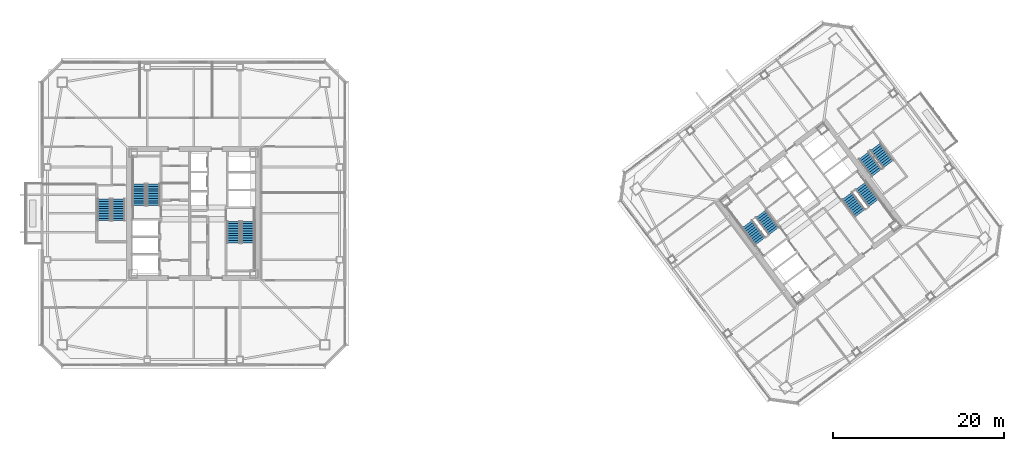
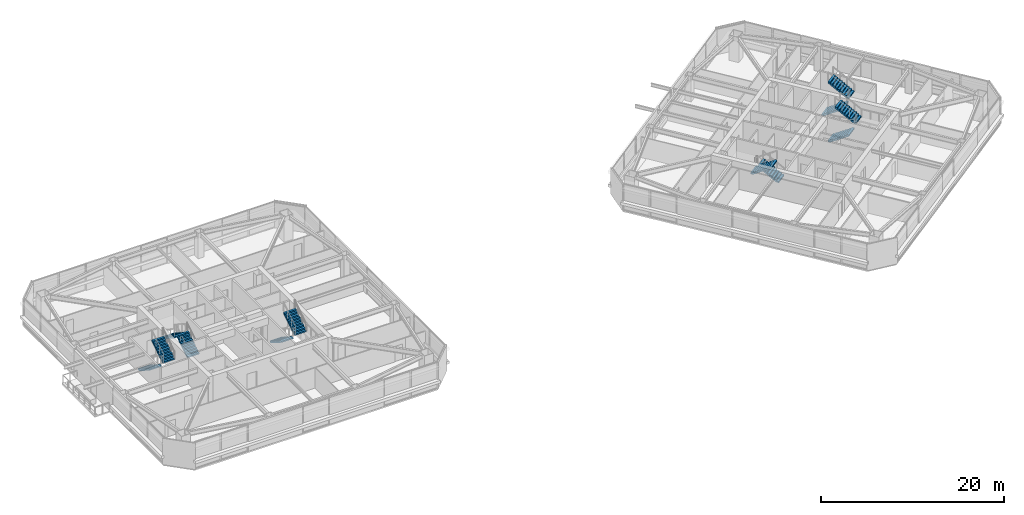
# One storey, part 37 of 43: 12 stair flights, 6 elements without a shape of their own.
"""IFC4 building model written with IfcOpenShell, lengths in metres."""

from ifc_helpers import new_model, si_unit, direction, frame, origin, place, context, subcontext, project, spatial, polyline, outline, extrude, material, type_object, element, aggregate, save


model = new_model("IFC4")

# Units and contexts
model_context = context("Model", 3, precision=1e-05, world=origin(), true_north=direction((0.0, 1.0)))
body_context = subcontext(model_context, "Body", "Model", "MODEL_VIEW")
ifc_project = project(units=[si_unit("LENGTHUNIT", "METRE"), si_unit("AREAUNIT", "SQUARE_METRE"), si_unit("VOLUMEUNIT", "CUBIC_METRE"), si_unit("PLANEANGLEUNIT", "RADIAN"), si_unit("MASSUNIT", "GRAM", prefix="KILO")], contexts=[model_context])

# Site, building, storey
site_placement = place(None, origin())
site = spatial("IfcSite", under=ifc_project, at=site_placement, CompositionType="ELEMENT")
building_placement = place(site_placement, origin())
building = spatial("IfcBuilding", under=site, at=building_placement, Name="Tashvorn Skyway Center", CompositionType="ELEMENT")
storey_placement = place(building_placement, frame((0.0, 0.0, 185.39990234375)))
storey = spatial("IfcBuildingStorey", under=building, at=storey_placement, Name="L50", CompositionType="ELEMENT", Elevation=185.39990234375)

# Stair, stair flights
ifc_material = material(Name="Concrete C40/50", Category="concrete")
stair_type = type_object("IfcStairType", Name="STAIR-CORE-1500", PredefinedType="HALF_TURN_STAIR", material=ifc_material)
stair_1_placement = place(storey_placement, origin())
stair_1 = element("IfcStair", 1, at=stair_1_placement, inside=storey, type_object=stair_type, Name="L50 Tower 1 Exit Stair 1", PredefinedType="HALF_TURN_STAIR")
stair_flight_type = type_object("IfcStairFlightType", Name="SFLIGHT-1500", PredefinedType="STRAIGHT", material=ifc_material)
stair_flight_1_placement = place(storey_placement, frame((37.35009765625, 32.919921875, 0.0), z_axis=(0.0, 0.0, 1.0), x_axis=(0.0, 1.0, 0.0)))
stair_flight_1 = element("IfcStairFlight", 2, at=stair_flight_1_placement, type_object=stair_flight_type, Name="ST-T1-1 flight 1", NumberOfRisers=10, NumberOfTreads=9, PredefinedType="STRAIGHT", RiserHeight=0.1775, TreadLength=0.28, context=body_context, shape_type="SweptSolid", body=[
    extrude(outline(polyline([(0.0, 0.0), (0.0, 0.177490234375), (0.280029296875, 0.177490234375), (0.280029296875, 0.35498046875), (0.56005859375, 0.35498046875), (0.56005859375, 0.532470703125), (0.840087890625, 0.532470703125), (0.840087890625, 0.7099609375), (1.1201171875, 0.7099609375), (1.1201171875, 0.887451171875), (1.39990234375, 0.887451171875), (1.39990234375, 1.06494140625), (1.679931640625, 1.06494140625), (1.679931640625, 1.242431640625), (1.9599609375, 1.242431640625), (1.9599609375, 1.419921875), (2.239990234375, 1.419921875), (2.239990234375, 1.597412109375), (2.52001953125, 1.597412109375), (2.52001953125, 1.77490234375), (2.52001953125, 1.419921875), (0.280029296875, 0.0), (0.0, 0.0)])), frame((0.0, 0.75, 0.0), z_axis=(0.0, -1.0, 0.0), x_axis=(1.0, 0.0, 0.0)), (0.0, 0.0, 1.0), 1.5),
])
stair_flight_2_placement = place(storey_placement, frame((35.64990234375, 35.43994140625, 1.775146484375), z_axis=(0.0, 0.0, 1.0), x_axis=(0.0, -1.0, 0.0)))
stair_flight_2 = element("IfcStairFlight", 3, at=stair_flight_2_placement, type_object=stair_flight_type, Name="ST-T1-1 flight 2", NumberOfRisers=10, NumberOfTreads=9, PredefinedType="STRAIGHT", RiserHeight=0.1775, TreadLength=0.28, context=body_context, shape_type="SweptSolid", body=[
    extrude(outline(polyline([(0.0, 0.0), (0.0, 0.177490234375), (0.280029296875, 0.177490234375), (0.280029296875, 0.35498046875), (0.56005859375, 0.35498046875), (0.56005859375, 0.532470703125), (0.840087890625, 0.532470703125), (0.840087890625, 0.7099609375), (1.1201171875, 0.7099609375), (1.1201171875, 0.887451171875), (1.39990234375, 0.887451171875), (1.39990234375, 1.06494140625), (1.679931640625, 1.06494140625), (1.679931640625, 1.242431640625), (1.9599609375, 1.242431640625), (1.9599609375, 1.419921875), (2.239990234375, 1.419921875), (2.239990234375, 1.597412109375), (2.52001953125, 1.597412109375), (2.52001953125, 1.77490234375), (2.52001953125, 1.419921875), (0.280029296875, 0.0), (0.0, 0.0)])), frame((0.0, 0.75, 0.0), z_axis=(0.0, -1.0, 0.0), x_axis=(1.0, 0.0, 0.0)), (0.0, 0.0, 1.0), 1.5),
])
aggregate(stair_1, [stair_flight_1, stair_flight_2])

stair_2_placement = place(storey_placement, origin())
stair_2 = element("IfcStair", 4, at=stair_2_placement, inside=storey, type_object=stair_type, Name="L50 Tower 1 Exit Stair 2", PredefinedType="HALF_TURN_STAIR")
stair_flight_3_placement = place(storey_placement, frame((46.64990234375, 31.080078125, 0.0), z_axis=(0.0, 0.0, 1.0), x_axis=(0.0, -1.0, 0.0)))
stair_flight_3 = element("IfcStairFlight", 5, at=stair_flight_3_placement, type_object=stair_flight_type, Name="ST-T1-2 flight 1", NumberOfRisers=10, NumberOfTreads=9, PredefinedType="STRAIGHT", RiserHeight=0.1775, TreadLength=0.28, context=body_context, shape_type="SweptSolid", body=[
    extrude(outline(polyline([(0.0, 0.0), (0.0, 0.177490234375), (0.280029296875, 0.177490234375), (0.280029296875, 0.35498046875), (0.56005859375, 0.35498046875), (0.56005859375, 0.532470703125), (0.840087890625, 0.532470703125), (0.840087890625, 0.7099609375), (1.1201171875, 0.7099609375), (1.1201171875, 0.887451171875), (1.39990234375, 0.887451171875), (1.39990234375, 1.06494140625), (1.679931640625, 1.06494140625), (1.679931640625, 1.242431640625), (1.9599609375, 1.242431640625), (1.9599609375, 1.419921875), (2.239990234375, 1.419921875), (2.239990234375, 1.597412109375), (2.52001953125, 1.597412109375), (2.52001953125, 1.77490234375), (2.52001953125, 1.419921875), (0.280029296875, 0.0), (0.0, 0.0)])), frame((0.0, 0.75, 0.0), z_axis=(0.0, -1.0, 0.0), x_axis=(1.0, 0.0, 0.0)), (0.0, 0.0, 1.0), 1.5),
])
stair_flight_4_placement = place(storey_placement, frame((48.35009765625, 28.56005859375, 1.775146484375), z_axis=(0.0, 0.0, 1.0), x_axis=(0.0, 1.0, 0.0)))
stair_flight_4 = element("IfcStairFlight", 6, at=stair_flight_4_placement, type_object=stair_flight_type, Name="ST-T1-2 flight 2", NumberOfRisers=10, NumberOfTreads=9, PredefinedType="STRAIGHT", RiserHeight=0.1775, TreadLength=0.28, context=body_context, shape_type="SweptSolid", body=[
    extrude(outline(polyline([(0.0, 0.0), (0.0, 0.177490234375), (0.280029296875, 0.177490234375), (0.280029296875, 0.35498046875), (0.56005859375, 0.35498046875), (0.56005859375, 0.532470703125), (0.840087890625, 0.532470703125), (0.840087890625, 0.7099609375), (1.1201171875, 0.7099609375), (1.1201171875, 0.887451171875), (1.39990234375, 0.887451171875), (1.39990234375, 1.06494140625), (1.679931640625, 1.06494140625), (1.679931640625, 1.242431640625), (1.9599609375, 1.242431640625), (1.9599609375, 1.419921875), (2.239990234375, 1.419921875), (2.239990234375, 1.597412109375), (2.52001953125, 1.597412109375), (2.52001953125, 1.77490234375), (2.52001953125, 1.419921875), (0.280029296875, 0.0), (0.0, 0.0)])), frame((0.0, 0.75, 0.0), z_axis=(0.0, -1.0, 0.0), x_axis=(1.0, 0.0, 0.0)), (0.0, 0.0, 1.0), 1.5),
])
aggregate(stair_2, [stair_flight_3, stair_flight_4])

stair_3_placement = place(storey_placement, origin())
stair_3 = element("IfcStair", 7, at=stair_3_placement, inside=storey, type_object=stair_type, Name="L50 Tower 2 Exit Stair 1", PredefinedType="HALF_TURN_STAIR")
stair_flight_5_placement = place(storey_placement, frame((109.72802734375, 29.946044921875, 0.0), z_axis=(0.0, 0.0, 1.0), x_axis=(-0.600000004945, 0.799999996291, 0.0)))
stair_flight_5 = element("IfcStairFlight", 8, at=stair_flight_5_placement, type_object=stair_flight_type, Name="ST-T2-1 flight 1", NumberOfRisers=10, NumberOfTreads=9, PredefinedType="STRAIGHT", RiserHeight=0.1775, TreadLength=0.28, context=body_context, shape_type="SweptSolid", body=[
    extrude(outline(polyline([(0.0, 0.0), (0.0, 0.177490234375), (0.280029296875, 0.177490234375), (0.280029296875, 0.35498046875), (0.56005859375, 0.35498046875), (0.56005859375, 0.532470703125), (0.840087890625, 0.532470703125), (0.840087890625, 0.7099609375), (1.1201171875, 0.7099609375), (1.1201171875, 0.887451171875), (1.39990234375, 0.887451171875), (1.39990234375, 1.06494140625), (1.679931640625, 1.06494140625), (1.679931640625, 1.242431640625), (1.9599609375, 1.242431640625), (1.9599609375, 1.419921875), (2.239990234375, 1.419921875), (2.239990234375, 1.597412109375), (2.52001953125, 1.597412109375), (2.52001953125, 1.77490234375), (2.52001953125, 1.419921875), (0.280029296875, 0.0), (0.0, 0.0)])), frame((0.0, 0.75, 0.0), z_axis=(0.0, -1.0, 0.0), x_axis=(1.0, 0.0, 0.0)), (0.0, 0.0, 1.0), 1.5),
])
stair_flight_6_placement = place(storey_placement, frame((106.632080078125, 30.77392578125, 1.775146484375), z_axis=(0.0, 0.0, 1.0), x_axis=(0.600000004945, -0.799999996291, 0.0)))
stair_flight_6 = element("IfcStairFlight", 9, at=stair_flight_6_placement, type_object=stair_flight_type, Name="ST-T2-1 flight 2", NumberOfRisers=10, NumberOfTreads=9, PredefinedType="STRAIGHT", RiserHeight=0.1775, TreadLength=0.28, context=body_context, shape_type="SweptSolid", body=[
    extrude(outline(polyline([(0.0, 0.0), (0.0, 0.177490234375), (0.280029296875, 0.177490234375), (0.280029296875, 0.35498046875), (0.56005859375, 0.35498046875), (0.56005859375, 0.532470703125), (0.840087890625, 0.532470703125), (0.840087890625, 0.7099609375), (1.1201171875, 0.7099609375), (1.1201171875, 0.887451171875), (1.39990234375, 0.887451171875), (1.39990234375, 1.06494140625), (1.679931640625, 1.06494140625), (1.679931640625, 1.242431640625), (1.9599609375, 1.242431640625), (1.9599609375, 1.419921875), (2.239990234375, 1.419921875), (2.239990234375, 1.597412109375), (2.52001953125, 1.597412109375), (2.52001953125, 1.77490234375), (2.52001953125, 1.419921875), (0.280029296875, 0.0), (0.0, 0.0)])), frame((0.0, 0.75, 0.0), z_axis=(0.0, -1.0, 0.0), x_axis=(1.0, 0.0, 0.0)), (0.0, 0.0, 1.0), 1.5),
])
aggregate(stair_3, [stair_flight_5, stair_flight_6])

stair_4_placement = place(storey_placement, origin())
stair_4 = element("IfcStair", 10, at=stair_4_placement, inside=storey, type_object=stair_type, Name="L50 Tower 2 Exit Stair 2", PredefinedType="HALF_TURN_STAIR")
stair_flight_7_placement = place(storey_placement, frame((118.27197265625, 34.053955078125, 0.0), z_axis=(0.0, 0.0, 1.0), x_axis=(0.600000004945, -0.799999996291, 0.0)))
stair_flight_7 = element("IfcStairFlight", 11, at=stair_flight_7_placement, type_object=stair_flight_type, Name="ST-T2-2 flight 1", NumberOfRisers=10, NumberOfTreads=9, PredefinedType="STRAIGHT", RiserHeight=0.1775, TreadLength=0.28, context=body_context, shape_type="SweptSolid", body=[
    extrude(outline(polyline([(0.0, 0.0), (0.0, 0.177490234375), (0.280029296875, 0.177490234375), (0.280029296875, 0.35498046875), (0.56005859375, 0.35498046875), (0.56005859375, 0.532470703125), (0.840087890625, 0.532470703125), (0.840087890625, 0.7099609375), (1.1201171875, 0.7099609375), (1.1201171875, 0.887451171875), (1.39990234375, 0.887451171875), (1.39990234375, 1.06494140625), (1.679931640625, 1.06494140625), (1.679931640625, 1.242431640625), (1.9599609375, 1.242431640625), (1.9599609375, 1.419921875), (2.239990234375, 1.419921875), (2.239990234375, 1.597412109375), (2.52001953125, 1.597412109375), (2.52001953125, 1.77490234375), (2.52001953125, 1.419921875), (0.280029296875, 0.0), (0.0, 0.0)])), frame((0.0, 0.75, 0.0), z_axis=(0.0, -1.0, 0.0), x_axis=(1.0, 0.0, 0.0)), (0.0, 0.0, 1.0), 1.5),
])
stair_flight_8_placement = place(storey_placement, frame((121.367919921875, 33.22607421875, 1.775146484375), z_axis=(0.0, 0.0, 1.0), x_axis=(-0.600000004945, 0.799999996291, 0.0)))
stair_flight_8 = element("IfcStairFlight", 12, at=stair_flight_8_placement, type_object=stair_flight_type, Name="ST-T2-2 flight 2", NumberOfRisers=10, NumberOfTreads=9, PredefinedType="STRAIGHT", RiserHeight=0.1775, TreadLength=0.28, context=body_context, shape_type="SweptSolid", body=[
    extrude(outline(polyline([(0.0, 0.0), (0.0, 0.177490234375), (0.280029296875, 0.177490234375), (0.280029296875, 0.35498046875), (0.56005859375, 0.35498046875), (0.56005859375, 0.532470703125), (0.840087890625, 0.532470703125), (0.840087890625, 0.7099609375), (1.1201171875, 0.7099609375), (1.1201171875, 0.887451171875), (1.39990234375, 0.887451171875), (1.39990234375, 1.06494140625), (1.679931640625, 1.06494140625), (1.679931640625, 1.242431640625), (1.9599609375, 1.242431640625), (1.9599609375, 1.419921875), (2.239990234375, 1.419921875), (2.239990234375, 1.597412109375), (2.52001953125, 1.597412109375), (2.52001953125, 1.77490234375), (2.52001953125, 1.419921875), (0.280029296875, 0.0), (0.0, 0.0)])), frame((0.0, 0.75, 0.0), z_axis=(0.0, -1.0, 0.0), x_axis=(1.0, 0.0, 0.0)), (0.0, 0.0, 1.0), 1.5),
])
aggregate(stair_4, [stair_flight_7, stair_flight_8])

stair_5_placement = place(storey_placement, origin())
stair_5 = element("IfcStair", 13, at=stair_5_placement, inside=storey, type_object=stair_type, Name="L50 Tower 1 Exit Stair 3", PredefinedType="HALF_TURN_STAIR")
stair_flight_9_placement = place(storey_placement, frame((31.550048828125, 33.679931640625, 0.0), z_axis=(0.0, 0.0, 1.0), x_axis=(0.0, -1.0, 0.0)))
stair_flight_9 = element("IfcStairFlight", 14, at=stair_flight_9_placement, type_object=stair_flight_type, Name="ST-T1-3 flight 1", NumberOfRisers=10, NumberOfTreads=9, PredefinedType="STRAIGHT", RiserHeight=0.1775, TreadLength=0.28, context=body_context, shape_type="SweptSolid", body=[
    extrude(outline(polyline([(0.0, 0.0), (0.0, 0.177490234375), (0.280029296875, 0.177490234375), (0.280029296875, 0.35498046875), (0.56005859375, 0.35498046875), (0.56005859375, 0.532470703125), (0.840087890625, 0.532470703125), (0.840087890625, 0.7099609375), (1.1201171875, 0.7099609375), (1.1201171875, 0.887451171875), (1.39990234375, 0.887451171875), (1.39990234375, 1.06494140625), (1.679931640625, 1.06494140625), (1.679931640625, 1.242431640625), (1.9599609375, 1.242431640625), (1.9599609375, 1.419921875), (2.239990234375, 1.419921875), (2.239990234375, 1.597412109375), (2.52001953125, 1.597412109375), (2.52001953125, 1.77490234375), (2.52001953125, 1.419921875), (0.280029296875, 0.0), (0.0, 0.0)])), frame((0.0, 0.75, 0.0), z_axis=(0.0, -1.0, 0.0), x_axis=(1.0, 0.0, 0.0)), (0.0, 0.0, 1.0), 1.5),
])
stair_flight_10_placement = place(storey_placement, frame((33.25, 31.159912109375, 1.775146484375), z_axis=(0.0, 0.0, 1.0), x_axis=(0.0, 1.0, 0.0)))
stair_flight_10 = element("IfcStairFlight", 15, at=stair_flight_10_placement, type_object=stair_flight_type, Name="ST-T1-3 flight 2", NumberOfRisers=10, NumberOfTreads=9, PredefinedType="STRAIGHT", RiserHeight=0.1775, TreadLength=0.28, context=body_context, shape_type="SweptSolid", body=[
    extrude(outline(polyline([(0.0, 0.0), (0.0, 0.177490234375), (0.280029296875, 0.177490234375), (0.280029296875, 0.35498046875), (0.56005859375, 0.35498046875), (0.56005859375, 0.532470703125), (0.840087890625, 0.532470703125), (0.840087890625, 0.7099609375), (1.1201171875, 0.7099609375), (1.1201171875, 0.887451171875), (1.39990234375, 0.887451171875), (1.39990234375, 1.06494140625), (1.679931640625, 1.06494140625), (1.679931640625, 1.242431640625), (1.9599609375, 1.242431640625), (1.9599609375, 1.419921875), (2.239990234375, 1.419921875), (2.239990234375, 1.597412109375), (2.52001953125, 1.597412109375), (2.52001953125, 1.77490234375), (2.52001953125, 1.419921875), (0.280029296875, 0.0), (0.0, 0.0)])), frame((0.0, 0.75, 0.0), z_axis=(0.0, -1.0, 0.0), x_axis=(1.0, 0.0, 0.0)), (0.0, 0.0, 1.0), 1.5),
])
aggregate(stair_5, [stair_flight_9, stair_flight_10])

stair_6_placement = place(storey_placement, origin())
stair_6 = element("IfcStair", 16, at=stair_6_placement, inside=storey, type_object=stair_type, Name="L50 Tower 2 Exit Stair 3", PredefinedType="HALF_TURN_STAIR")
stair_flight_11_placement = place(storey_placement, frame((120.216064453125, 38.761962890625, 0.0), z_axis=(0.0, 0.0, 1.0), x_axis=(0.600000004945, -0.799999996291, 0.0)))
stair_flight_11 = element("IfcStairFlight", 17, at=stair_flight_11_placement, type_object=stair_flight_type, Name="ST-T2-3 flight 1", NumberOfRisers=10, NumberOfTreads=9, PredefinedType="STRAIGHT", RiserHeight=0.1775, TreadLength=0.28, context=body_context, shape_type="SweptSolid", body=[
    extrude(outline(polyline([(0.0, 0.0), (0.0, 0.177490234375), (0.280029296875, 0.177490234375), (0.280029296875, 0.35498046875), (0.56005859375, 0.35498046875), (0.56005859375, 0.532470703125), (0.840087890625, 0.532470703125), (0.840087890625, 0.7099609375), (1.1201171875, 0.7099609375), (1.1201171875, 0.887451171875), (1.39990234375, 0.887451171875), (1.39990234375, 1.06494140625), (1.679931640625, 1.06494140625), (1.679931640625, 1.242431640625), (1.9599609375, 1.242431640625), (1.9599609375, 1.419921875), (2.239990234375, 1.419921875), (2.239990234375, 1.597412109375), (2.52001953125, 1.597412109375), (2.52001953125, 1.77490234375), (2.52001953125, 1.419921875), (0.280029296875, 0.0), (0.0, 0.0)])), frame((0.0, 0.75, 0.0), z_axis=(0.0, -1.0, 0.0), x_axis=(1.0, 0.0, 0.0)), (0.0, 0.0, 1.0), 1.5),
])
stair_flight_12_placement = place(storey_placement, frame((123.087890625, 37.76611328125, 1.775146484375), z_axis=(0.0, 0.0, 1.0), x_axis=(-0.600000004945, 0.799999996291, 0.0)))
stair_flight_12 = element("IfcStairFlight", 18, at=stair_flight_12_placement, type_object=stair_flight_type, Name="ST-T2-3 flight 2", NumberOfRisers=10, NumberOfTreads=9, PredefinedType="STRAIGHT", RiserHeight=0.1775, TreadLength=0.28, context=body_context, shape_type="SweptSolid", body=[
    extrude(outline(polyline([(0.0, 0.0), (0.0, 0.177490234375), (0.280029296875, 0.177490234375), (0.280029296875, 0.35498046875), (0.56005859375, 0.35498046875), (0.56005859375, 0.532470703125), (0.840087890625, 0.532470703125), (0.840087890625, 0.7099609375), (1.1201171875, 0.7099609375), (1.1201171875, 0.887451171875), (1.39990234375, 0.887451171875), (1.39990234375, 1.06494140625), (1.679931640625, 1.06494140625), (1.679931640625, 1.242431640625), (1.9599609375, 1.242431640625), (1.9599609375, 1.419921875), (2.239990234375, 1.419921875), (2.239990234375, 1.597412109375), (2.52001953125, 1.597412109375), (2.52001953125, 1.77490234375), (2.52001953125, 1.419921875), (0.280029296875, 0.0), (0.0, 0.0)])), frame((0.0, 0.75, 0.0), z_axis=(0.0, -1.0, 0.0), x_axis=(1.0, 0.0, 0.0)), (0.0, 0.0, 1.0), 1.5),
])
aggregate(stair_6, [stair_flight_11, stair_flight_12])

save(model, "model.ifc")
